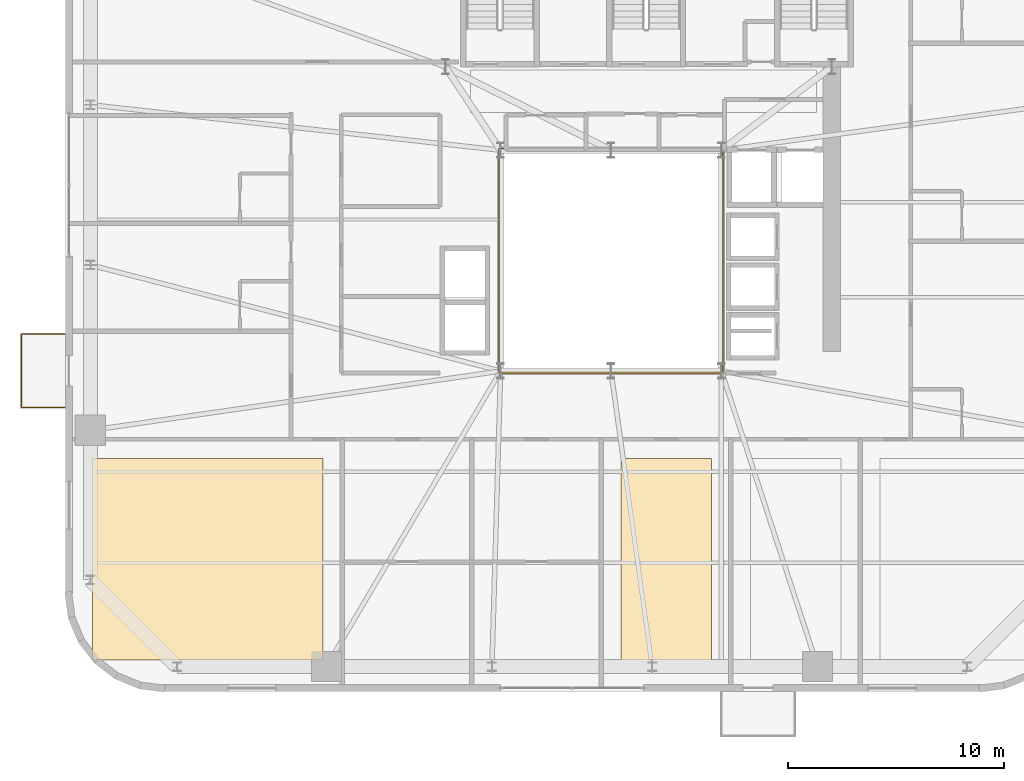
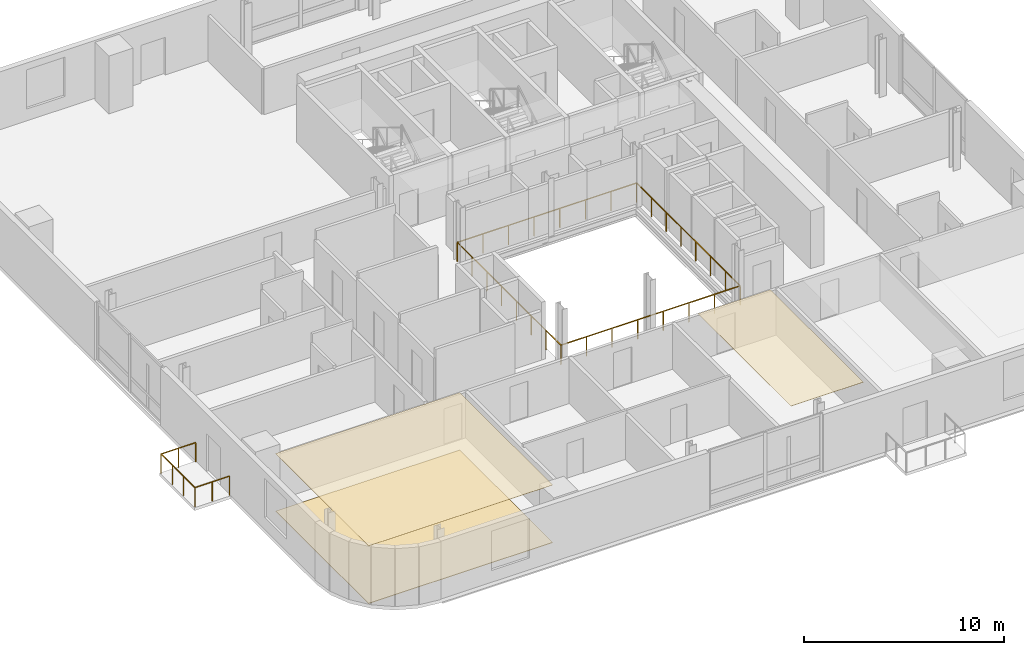
# One storey, part 12 of 15: 3 coverings, 2 railings.
"""IFC4 building model written with IfcOpenShell, lengths in metres."""

from ifc_helpers import new_model, si_unit, direction, frame, origin, origin_2d, place, context, subcontext, project, spatial, polyline, rectangle, outline, extrude, source, transform, mapped, material, layer, layer_set, type_object, element, save


model = new_model("IFC4")

# Units and contexts
model_context = context("Model", 3, precision=1e-05, world=origin(), true_north=direction((0.0, 1.0)))
body_context = subcontext(model_context, "Body", "Model", "MODEL_VIEW")
ifc_project = project(units=[si_unit("LENGTHUNIT", "METRE"), si_unit("AREAUNIT", "SQUARE_METRE"), si_unit("VOLUMEUNIT", "CUBIC_METRE"), si_unit("PLANEANGLEUNIT", "RADIAN"), si_unit("MASSUNIT", "GRAM", prefix="KILO")], contexts=[model_context])

# Site, building, storey
site_placement = place(None, origin())
site = spatial("IfcSite", under=ifc_project, at=site_placement, CompositionType="ELEMENT")
building_placement = place(site_placement, origin())
building = spatial("IfcBuilding", under=site, at=building_placement, Name="Vardaveli Station Tower", CompositionType="ELEMENT")
storey_placement = place(building_placement, frame((0.0, 0.0, 207.300048828125)))
storey = spatial("IfcBuildingStorey", under=building, at=storey_placement, Name="L53", CompositionType="ELEMENT", Elevation=207.300048828125)

# Coverings
ifc_material_1 = material(Name="Perforated acoustic mineral ceiling")
ifc_layer_1 = layer(ifc_material_1, 0.02001953125, Name="Perforated acoustic mineral ceiling")
ifc_layer_set_1 = layer_set([ifc_layer_1], Name="Perforated acoustic mineral ceiling")
covering_type_1 = type_object("IfcCoveringType", Name="COV-CEIL-AC20", PredefinedType="CEILING", material=ifc_layer_set_1)
covering_1_placement = place(storey_placement, frame((0.0, 0.0, 3.514892578125)))
element("IfcCovering", 1, at=covering_1_placement, inside=storey, type_object=covering_type_1, Name="CEIL-L53-1", PredefinedType="CEILING", context=body_context, shape_type="SweptSolid", body=[
    extrude(outline(polyline([(12.35009765625, 3.25), (22.989990234375, 3.25), (22.989990234375, 12.550048828125), (12.35009765625, 12.550048828125), (12.35009765625, 3.25)])), origin(), (0.0, 0.0, 1.0), 0.02001953125),
])
covering_2_placement = place(storey_placement, frame((0.0, 0.0, 3.514892578125)))
element("IfcCovering", 2, at=covering_2_placement, inside=storey, type_object=covering_type_1, Name="CEIL-L53-2", PredefinedType="CEILING", context=body_context, shape_type="SweptSolid", body=[
    extrude(outline(polyline([(36.7548828125, 3.25), (40.9375, 3.25), (40.9375, 12.550048828125), (36.7548828125, 12.550048828125), (36.7548828125, 3.25)])), origin(), (0.0, 0.0, 1.0), 0.02001953125),
])
ifc_material_2 = material(Name="Honed Caucasian basalt and travertine flooring", Category="masonry")
ifc_layer_2 = layer(ifc_material_2, 0.030029296875, Name="Honed Caucasian basalt and travertine flooring")
ifc_layer_set_2 = layer_set([ifc_layer_2], Name="Honed Caucasian basalt and travertine flooring")
covering_type_2 = type_object("IfcCoveringType", Name="COV-FLOOR-ST30", PredefinedType="FLOORING", material=ifc_layer_set_2)
covering_3_placement = place(storey_placement, origin())
element("IfcCovering", 3, at=covering_3_placement, inside=storey, type_object=covering_type_2, Name="FLR-L53-1", PredefinedType="FLOORING", context=body_context, shape_type="SweptSolid", body=[
    extrude(outline(polyline([(12.35009765625, 3.25), (22.989990234375, 3.25), (22.989990234375, 12.550048828125), (12.35009765625, 12.550048828125), (12.35009765625, 3.25)])), origin(), (0.0, 0.0, 1.0), 0.030029296875),
])

# Railings
ifc_material_3 = material(Name="Laminated glass and stainless steel balustrade", Category="steel")
railing_type = type_object("IfcRailingType", Name="RL-BAL-1200", PredefinedType="BALUSTRADE", material=ifc_material_3)
shared_shape_1 = source(origin(), body_context, "Body", "SweptSolid", [
    extrude(rectangle(XDim=0.048095703125, YDim=0.048095703125, at=origin_2d()), frame((0.0, 0.0, 1.17578125), z_axis=(-1.0, 0.0, 0.0), x_axis=(0.0, -1.0, 0.0)), (0.0, 0.0, 1.0), 2.0),
    extrude(rectangle(XDim=0.048095703125, YDim=0.048095703125, at=origin_2d()), frame((-2.0, 0.0, 1.17578125), z_axis=(0.0, 1.0, 0.0), x_axis=(-1.0, 0.0, 0.0)), (0.0, 0.0, 1.0), 3.3798828125),
    extrude(rectangle(XDim=0.048095703125, YDim=0.048095703125, at=origin_2d()), frame((-2.0, 3.3798828125, 1.17578125), z_axis=(1.0, 0.0, 0.0), x_axis=(0.0, 1.0, 0.0)), (0.0, 0.0, 1.0), 2.0),
    extrude(rectangle(XDim=0.0419921875, YDim=0.0419921875, at=origin_2d()), origin(), (0.0, 0.0, 1.0), 1.15185546875),
    extrude(rectangle(XDim=0.0419921875, YDim=0.0419921875, at=origin_2d()), frame((-1.0, 0.0, 0.0)), (0.0, 0.0, 1.0), 1.15185546875),
    extrude(rectangle(XDim=0.0419921875, YDim=0.0419921875, at=origin_2d()), frame((-2.0, 0.0, 0.0)), (0.0, 0.0, 1.0), 1.15185546875),
    extrude(rectangle(XDim=0.0419921875, YDim=0.0419921875, at=origin_2d()), frame((-2.0, 1.126708984375, 0.0)), (0.0, 0.0, 1.0), 1.15185546875),
    extrude(rectangle(XDim=0.0419921875, YDim=0.0419921875, at=origin_2d()), frame((-2.0, 2.253173828125, 0.0)), (0.0, 0.0, 1.0), 1.15185546875),
    extrude(rectangle(XDim=0.0419921875, YDim=0.0419921875, at=origin_2d()), frame((-2.0, 3.3798828125, 0.0)), (0.0, 0.0, 1.0), 1.15185546875),
    extrude(rectangle(XDim=0.0419921875, YDim=0.0419921875, at=origin_2d()), frame((-1.0, 3.3798828125, 0.0)), (0.0, 0.0, 1.0), 1.15185546875),
    extrude(rectangle(XDim=0.0419921875, YDim=0.0419921875, at=origin_2d()), frame((0.0, 3.3798828125, 0.0)), (0.0, 0.0, 1.0), 1.15185546875),
])
railing_1_placement = place(storey_placement, frame((11.06005859375, 14.92041015625, 0.0)))
element("IfcRailing", 4, at=railing_1_placement, inside=storey, type_object=railing_type, Name="RL-LOG-L53-03", PredefinedType="BALUSTRADE", context=body_context, shape_type="MappedRepresentation", body=[
    mapped(shared_shape_1, transform((0.0, 0.0, 0.0), scale=1.0)),
])
shared_shape_2 = source(origin(), body_context, "Body", "SweptSolid", [
    extrude(rectangle(XDim=0.048095703125, YDim=0.048095703125, at=origin_2d()), frame((0.0, 0.0, 1.17578125), z_axis=(1.0, 0.0, 0.0), x_axis=(0.0, 1.0, 0.0)), (0.0, 0.0, 1.0), 10.35986328125),
    extrude(rectangle(XDim=0.048095703125, YDim=0.048095703125, at=origin_2d()), frame((10.35986328125, 0.0, 1.17578125), z_axis=(0.0, 1.0, 0.0), x_axis=(-1.0, 0.0, 0.0)), (0.0, 0.0, 1.0), 10.35986328125),
    extrude(rectangle(XDim=0.048095703125, YDim=0.048095703125, at=origin_2d()), frame((10.35986328125, 10.35986328125, 1.17578125), z_axis=(-1.0, 0.0, 0.0), x_axis=(0.0, -1.0, 0.0)), (0.0, 0.0, 1.0), 10.35986328125),
    extrude(rectangle(XDim=0.048095703125, YDim=0.048095703125, at=origin_2d()), frame((0.0, 10.35986328125, 1.17578125), z_axis=(0.0, -1.0, 0.0), x_axis=(1.0, 0.0, 0.0)), (0.0, 0.0, 1.0), 10.35986328125),
    extrude(rectangle(XDim=0.0419921875, YDim=0.0419921875, at=origin_2d()), origin(), (0.0, 0.0, 1.0), 1.15185546875),
    extrude(rectangle(XDim=0.0419921875, YDim=0.0419921875, at=origin_2d()), frame((1.47998046875, 0.0, 0.0)), (0.0, 0.0, 1.0), 1.15185546875),
    extrude(rectangle(XDim=0.0419921875, YDim=0.0419921875, at=origin_2d()), frame((2.9599609375, 0.0, 0.0)), (0.0, 0.0, 1.0), 1.15185546875),
    extrude(rectangle(XDim=0.0419921875, YDim=0.0419921875, at=origin_2d()), frame((4.43994140625, 0.0, 0.0)), (0.0, 0.0, 1.0), 1.15185546875),
    extrude(rectangle(XDim=0.0419921875, YDim=0.0419921875, at=origin_2d()), frame((5.919921875, 0.0, 0.0)), (0.0, 0.0, 1.0), 1.15185546875),
    extrude(rectangle(XDim=0.0419921875, YDim=0.0419921875, at=origin_2d()), frame((7.39990234375, 0.0, 0.0)), (0.0, 0.0, 1.0), 1.15185546875),
    extrude(rectangle(XDim=0.0419921875, YDim=0.0419921875, at=origin_2d()), frame((8.8798828125, 0.0, 0.0)), (0.0, 0.0, 1.0), 1.15185546875),
    extrude(rectangle(XDim=0.0419921875, YDim=0.0419921875, at=origin_2d()), frame((10.35986328125, 0.0, 0.0)), (0.0, 0.0, 1.0), 1.15185546875),
    extrude(rectangle(XDim=0.0419921875, YDim=0.0419921875, at=origin_2d()), frame((10.35986328125, 1.47998046875, 0.0)), (0.0, 0.0, 1.0), 1.15185546875),
    extrude(rectangle(XDim=0.0419921875, YDim=0.0419921875, at=origin_2d()), frame((10.35986328125, 2.9599609375, 0.0)), (0.0, 0.0, 1.0), 1.15185546875),
    extrude(rectangle(XDim=0.0419921875, YDim=0.0419921875, at=origin_2d()), frame((10.35986328125, 4.43994140625, 0.0)), (0.0, 0.0, 1.0), 1.15185546875),
    extrude(rectangle(XDim=0.0419921875, YDim=0.0419921875, at=origin_2d()), frame((10.35986328125, 5.919921875, 0.0)), (0.0, 0.0, 1.0), 1.15185546875),
    extrude(rectangle(XDim=0.0419921875, YDim=0.0419921875, at=origin_2d()), frame((10.35986328125, 7.39990234375, 0.0)), (0.0, 0.0, 1.0), 1.15185546875),
    extrude(rectangle(XDim=0.0419921875, YDim=0.0419921875, at=origin_2d()), frame((10.35986328125, 8.8798828125, 0.0)), (0.0, 0.0, 1.0), 1.15185546875),
    extrude(rectangle(XDim=0.0419921875, YDim=0.0419921875, at=origin_2d()), frame((10.35986328125, 10.35986328125, 0.0)), (0.0, 0.0, 1.0), 1.15185546875),
    extrude(rectangle(XDim=0.0419921875, YDim=0.0419921875, at=origin_2d()), frame((8.8798828125, 10.35986328125, 0.0)), (0.0, 0.0, 1.0), 1.15185546875),
    extrude(rectangle(XDim=0.0419921875, YDim=0.0419921875, at=origin_2d()), frame((7.39990234375, 10.35986328125, 0.0)), (0.0, 0.0, 1.0), 1.15185546875),
    extrude(rectangle(XDim=0.0419921875, YDim=0.0419921875, at=origin_2d()), frame((5.919921875, 10.35986328125, 0.0)), (0.0, 0.0, 1.0), 1.15185546875),
    extrude(rectangle(XDim=0.0419921875, YDim=0.0419921875, at=origin_2d()), frame((4.43994140625, 10.35986328125, 0.0)), (0.0, 0.0, 1.0), 1.15185546875),
    extrude(rectangle(XDim=0.0419921875, YDim=0.0419921875, at=origin_2d()), frame((2.9599609375, 10.35986328125, 0.0)), (0.0, 0.0, 1.0), 1.15185546875),
    extrude(rectangle(XDim=0.0419921875, YDim=0.0419921875, at=origin_2d()), frame((1.47998046875, 10.35986328125, 0.0)), (0.0, 0.0, 1.0), 1.15185546875),
    extrude(rectangle(XDim=0.0419921875, YDim=0.0419921875, at=origin_2d()), frame((0.0, 10.35986328125, 0.0)), (0.0, 0.0, 1.0), 1.15185546875),
    extrude(rectangle(XDim=0.0419921875, YDim=0.0419921875, at=origin_2d()), frame((0.0, 8.8798828125, 0.0)), (0.0, 0.0, 1.0), 1.15185546875),
    extrude(rectangle(XDim=0.0419921875, YDim=0.0419921875, at=origin_2d()), frame((0.0, 7.39990234375, 0.0)), (0.0, 0.0, 1.0), 1.15185546875),
    extrude(rectangle(XDim=0.0419921875, YDim=0.0419921875, at=origin_2d()), frame((0.0, 5.919921875, 0.0)), (0.0, 0.0, 1.0), 1.15185546875),
    extrude(rectangle(XDim=0.0419921875, YDim=0.0419921875, at=origin_2d()), frame((0.0, 4.43994140625, 0.0)), (0.0, 0.0, 1.0), 1.15185546875),
    extrude(rectangle(XDim=0.0419921875, YDim=0.0419921875, at=origin_2d()), frame((0.0, 2.9599609375, 0.0)), (0.0, 0.0, 1.0), 1.15185546875),
    extrude(rectangle(XDim=0.0419921875, YDim=0.0419921875, at=origin_2d()), frame((0.0, 1.47998046875, 0.0)), (0.0, 0.0, 1.0), 1.15185546875),
])
railing_2_placement = place(storey_placement, frame((31.1201171875, 16.52001953125, 0.0)))
element("IfcRailing", 5, at=railing_2_placement, inside=storey, type_object=railing_type, Name="RL-ATR-L53", PredefinedType="BALUSTRADE", context=body_context, shape_type="MappedRepresentation", body=[
    mapped(shared_shape_2, transform((0.0, 0.0, 0.0), scale=1.0)),
])

save(model, "model.ifc")
